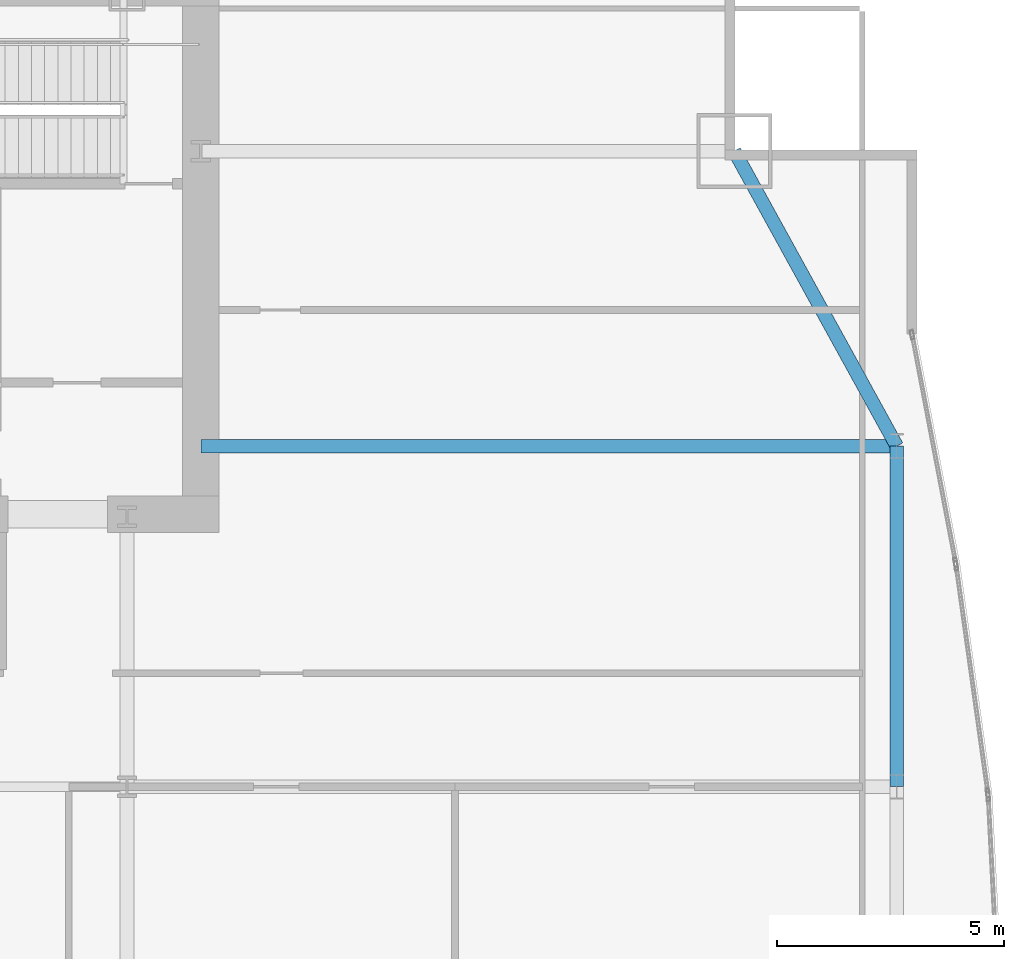
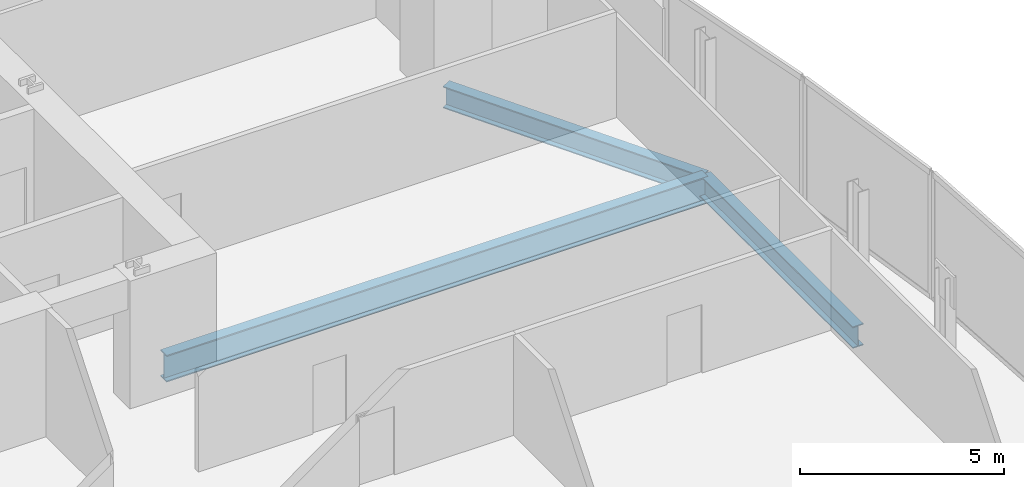
# One storey, part 25 of 37: 3 beams.
"""IFC4 building model written with IfcOpenShell, lengths in metres."""

from ifc_helpers import new_model, si_unit, direction, frame, origin, origin_2d, place, context, subcontext, project, spatial, i_section, extrude, material, material_profile, profile_set, type_object, element, save


model = new_model("IFC4")

# Units and contexts
model_context = context("Model", 3, precision=1e-05, world=origin(), true_north=direction((0.0, 1.0)))
body_context = subcontext(model_context, "Body", "Model", "MODEL_VIEW")
ifc_project = project(units=[si_unit("LENGTHUNIT", "METRE"), si_unit("AREAUNIT", "SQUARE_METRE"), si_unit("VOLUMEUNIT", "CUBIC_METRE"), si_unit("PLANEANGLEUNIT", "RADIAN"), si_unit("MASSUNIT", "GRAM", prefix="KILO")], contexts=[model_context])

# Site, building, storey
site_placement = place(None, origin())
site = spatial("IfcSite", under=ifc_project, at=site_placement, CompositionType="ELEMENT")
building_placement = place(site_placement, origin())
building = spatial("IfcBuilding", under=site, at=building_placement, Name="Khoronbel Lancet Exchange", CompositionType="ELEMENT")
storey_placement = place(building_placement, frame((0.0, 0.0, 45.800048828125)))
storey = spatial("IfcBuildingStorey", under=building, at=storey_placement, Name="L10", CompositionType="ELEMENT", Elevation=45.800048828125)

# Beams
ifc_material = material(Name="Steel S355", Category="steel")
ifc_material_profile_1 = material_profile(ifc_material, i_section(OverallWidth=0.300048828125, OverallDepth=0.800048828125, WebThickness=0.017578125, FlangeThickness=0.032958984375, at=origin_2d()), Name="HEB 800")
ifc_profile_set_1 = profile_set([ifc_material_profile_1], Name="Steel S355")
beam_type_1 = type_object("IfcBeamType", Name="BM-BG2", PredefinedType="BEAM", material=ifc_profile_set_1)
beam_1_placement = place(storey_placement, frame((56.300048828125, 43.199951171875, -0.580078125), z_axis=(1.0, 0.0, 0.0), x_axis=(0.0, 1.0, 0.0)))
element("IfcBeam", 1, at=beam_1_placement, inside=storey, type_object=beam_type_1, Name="Level L10 east lens tie girder LG3E", PredefinedType="BEAM", context=body_context, shape_type="SweptSolid", body=[
    extrude(i_section(OverallWidth=0.300048828125, OverallDepth=0.800048828125, WebThickness=0.017578125, FlangeThickness=0.032958984375, at=origin_2d()), origin(), (0.0, 0.0, 1.0), 15.329833984375),
])
ifc_material_profile_2 = material_profile(ifc_material, i_section(OverallWidth=0.300048828125, OverallDepth=0.64990234375, WebThickness=0.01611328125, FlangeThickness=0.031005859375, at=origin_2d()), Name="HEB 650")
ifc_profile_set_2 = profile_set([ifc_material_profile_2], Name="Steel S355")
beam_type_2 = type_object("IfcBeamType", Name="BM-BSP1", PredefinedType="SPANDREL", material=ifc_profile_set_2)
beam_2_placement = place(storey_placement, frame((71.6298828125, 35.699951171875, -0.505126953125), z_axis=(0.0, 1.0, 0.0), x_axis=(-1.0, 0.0, 0.0)))
element("IfcBeam", 2, at=beam_2_placement, inside=storey, type_object=beam_type_2, Name="Level L10 perimeter spandrel beam SP14", PredefinedType="SPANDREL", context=body_context, shape_type="SweptSolid", body=[
    extrude(i_section(OverallWidth=0.300048828125, OverallDepth=0.64990234375, WebThickness=0.01611328125, FlangeThickness=0.031005859375, at=origin_2d()), origin(), (0.0, 0.0, 1.0), 7.5),
])
beam_3_placement = place(storey_placement, frame((71.6298828125, 43.199951171875, -0.505126953125), z_axis=(-0.482418808117, 0.875940690672, 0.0), x_axis=(-0.875940690672, -0.482418808117, 0.0)))
element("IfcBeam", 3, at=beam_3_placement, inside=storey, type_object=beam_type_2, Name="Level L10 perimeter spandrel beam SP15", PredefinedType="SPANDREL", context=body_context, shape_type="SweptSolid", body=[
    extrude(i_section(OverallWidth=0.300048828125, OverallDepth=0.64990234375, WebThickness=0.01611328125, FlangeThickness=0.031005859375, at=origin_2d()), origin(), (0.0, 0.0, 1.0), 7.420654296875),
])

save(model, "model.ifc")
